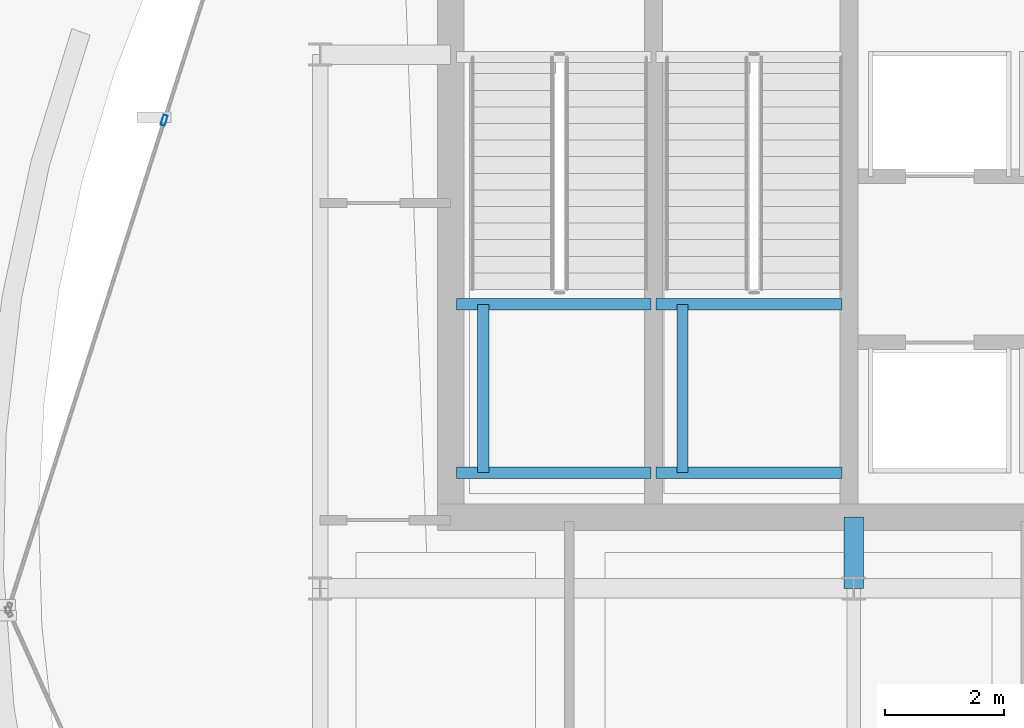
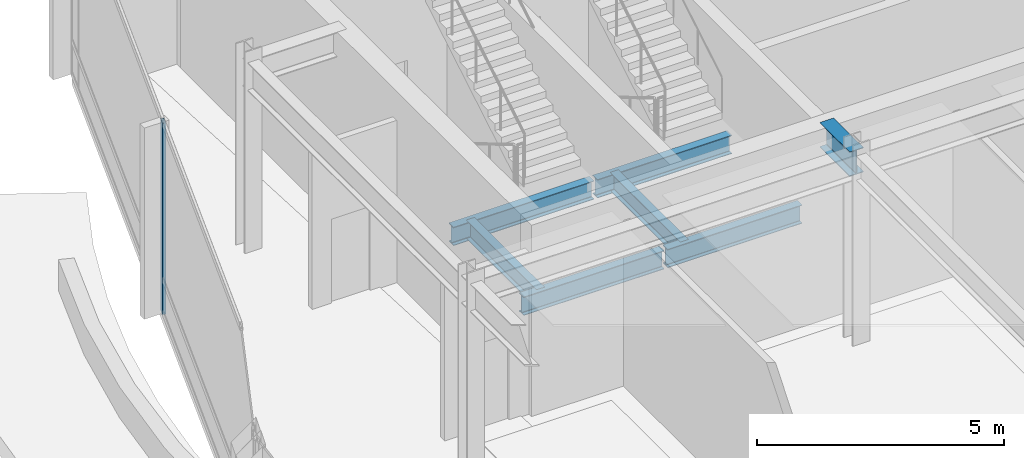
# One storey, part 8 of 23: 7 beams, 1 member, 1 element without a shape of its own.
"""IFC4 building model written with IfcOpenShell, lengths in metres."""

from ifc_helpers import new_model, si_unit, direction, frame, origin, origin_2d, place, context, subcontext, project, spatial, hollow_rectangle, i_section, extrude, material, layer, layer_set, material_profile, profile_set, type_object, element, aggregate, save


model = new_model("IFC4")

# Units and contexts
model_context = context("Model", 3, precision=1e-05, world=origin(), true_north=direction((0.0, 1.0)))
body_context = subcontext(model_context, "Body", "Model", "MODEL_VIEW")
ifc_project = project(units=[si_unit("LENGTHUNIT", "METRE"), si_unit("AREAUNIT", "SQUARE_METRE"), si_unit("VOLUMEUNIT", "CUBIC_METRE"), si_unit("PLANEANGLEUNIT", "RADIAN"), si_unit("MASSUNIT", "GRAM", prefix="KILO")], contexts=[model_context])

# Site, building, storey
site_placement = place(None, origin())
site = spatial("IfcSite", under=ifc_project, at=site_placement, CompositionType="ELEMENT")
building_placement = place(site_placement, origin())
building = spatial("IfcBuilding", under=site, at=building_placement, Name="Solvaryn Broadcast Tower", CompositionType="ELEMENT")
storey_placement = place(building_placement, frame((0.0, 0.0, 235.800048828125)))
storey = spatial("IfcBuildingStorey", under=building, at=storey_placement, Name="L59", CompositionType="ELEMENT", Elevation=235.800048828125)

# Beams
ifc_material_1 = material(Name="Steel ASTM A992 Grade 50", Category="steel")
ifc_material_profile_1 = material_profile(ifc_material_1, i_section(OverallWidth=0.323974609375, OverallDepth=0.611083984375, WebThickness=0.0126953125, FlangeThickness=0.01904296875, FilletRadius=0.014892578125, at=origin_2d()))
ifc_profile_set_1 = profile_set([ifc_material_profile_1], Name="Steel ASTM A992 Grade 50")
beam_type_1 = type_object("IfcBeamType", Name="BM-B1-W24X104", PredefinedType="BEAM", material=ifc_profile_set_1)
beam_1_placement = place(storey_placement, frame((18.0, 27.0, 4.41455078125), z_axis=(0.0, 1.0, 0.0), x_axis=(-1.0, 0.0, 0.0)))
element("IfcBeam", 1, at=beam_1_placement, inside=storey, type_object=beam_type_1, Name="L59 Core Tie Beam CTW4", PredefinedType="BEAM", context=body_context, shape_type="SweptSolid", body=[
    extrude(i_section(OverallWidth=0.323974609375, OverallDepth=0.611083984375, WebThickness=0.0126953125, FlangeThickness=0.01904296875, FilletRadius=0.014892578125, at=origin_2d()), origin(), (0.0, 0.0, 1.0), 1.199951171875),
])
ifc_material_2 = material(Name="Steel ASTM A992 Grade 50", Category="steel")
ifc_material_profile_2 = material_profile(ifc_material_2, i_section(OverallWidth=0.18994140625, OverallDepth=0.45703125, WebThickness=0.009033203125, FlangeThickness=0.014404296875, FilletRadius=0.011962890625, at=origin_2d()))
ifc_profile_set_2 = profile_set([ifc_material_profile_2], Name="Steel ASTM A992 Grade 50")
beam_type_2 = type_object("IfcBeamType", Name="BM-B4-W18X50", PredefinedType="BEAM", material=ifc_profile_set_2)
for number, where, z_axis, x_axis, name in (
    (2, (11.300048828125, 28.949951171875, 2.071533203125), (1.0, 0.0, 0.0), (0.0, 1.0, 0.0), "L59 ST1 Landing Support Beam 1A"),
    (3, (11.300048828125, 31.7900390625, 2.071533203125), (1.0, 0.0, 0.0), (0.0, 1.0, 0.0), "L59 ST1 Landing Support Beam 1B"),
):
    element("IfcBeam", number, at=place(storey_placement, frame(where, z_axis=z_axis, x_axis=x_axis)), inside=storey, type_object=beam_type_2, Name=name, PredefinedType="BEAM", context=body_context, shape_type="SweptSolid", body=[
        extrude(i_section(OverallWidth=0.18994140625, OverallDepth=0.45703125, WebThickness=0.009033203125, FlangeThickness=0.014404296875, FilletRadius=0.011962890625, at=origin_2d()), origin(), (0.0, 0.0, 1.0), 3.280029296875),
    ])
beam_2_placement = place(storey_placement, frame((11.75, 28.949951171875, 2.071533203125), z_axis=(0.0, 1.0, 0.0), x_axis=(-1.0, 0.0, 0.0)))
element("IfcBeam", 4, at=beam_2_placement, inside=storey, type_object=beam_type_2, Name="L59 ST1 Landing Cross Stringer 1C", PredefinedType="BEAM", context=body_context, shape_type="SweptSolid", body=[
    extrude(i_section(OverallWidth=0.18994140625, OverallDepth=0.45703125, WebThickness=0.009033203125, FlangeThickness=0.014404296875, FilletRadius=0.011962890625, at=origin_2d()), origin(), (0.0, 0.0, 1.0), 2.840087890625),
])
for number, where, z_axis, x_axis, name in (
    (5, (14.659912109375, 28.949951171875, 2.071533203125), (1.0, 0.0, 0.0), (0.0, 1.0, 0.0), "L59 ST2 Landing Support Beam 1A"),
    (6, (14.659912109375, 31.7900390625, 2.071533203125), (1.0, 0.0, 0.0), (0.0, 1.0, 0.0), "L59 ST2 Landing Support Beam 1B"),
):
    element("IfcBeam", number, at=place(storey_placement, frame(where, z_axis=z_axis, x_axis=x_axis)), inside=storey, type_object=beam_type_2, Name=name, PredefinedType="BEAM", context=body_context, shape_type="SweptSolid", body=[
        extrude(i_section(OverallWidth=0.18994140625, OverallDepth=0.45703125, WebThickness=0.009033203125, FlangeThickness=0.014404296875, FilletRadius=0.011962890625, at=origin_2d()), origin(), (0.0, 0.0, 1.0), 3.14013671875),
    ])
beam_3_placement = place(storey_placement, frame((15.110107421875, 28.949951171875, 2.071533203125), z_axis=(0.0, 1.0, 0.0), x_axis=(-1.0, 0.0, 0.0)))
element("IfcBeam", 7, at=beam_3_placement, inside=storey, type_object=beam_type_2, Name="L59 ST2 Landing Cross Stringer 1C", PredefinedType="BEAM", context=body_context, shape_type="SweptSolid", body=[
    extrude(i_section(OverallWidth=0.18994140625, OverallDepth=0.45703125, WebThickness=0.009033203125, FlangeThickness=0.014404296875, FilletRadius=0.011962890625, at=origin_2d()), origin(), (0.0, 0.0, 1.0), 2.840087890625),
])

# Curtain wall, member
ifc_material_3 = material(Name="Aluminium and Terracotta Unitised Curtain Wall", Category="masonry")
ifc_layer = layer(ifc_material_3, 0.25)
ifc_layer_set = layer_set([ifc_layer], Name="CW-SYS4-SKYGARDEN")
curtain_wall_type = type_object("IfcCurtainWallType", Name="CW-SYS4-SKYGARDEN", PredefinedType="NOTDEFINED", material=ifc_layer_set)
curtain_wall_placement = place(storey_placement, origin())
curtain_wall = element("IfcCurtainWall", 8, at=curtain_wall_placement, inside=storey, type_object=curtain_wall_type, Name="L59 Curtain Wall DR1", PredefinedType="NOTDEFINED")
ifc_material_4 = material(Name="Anodised Aluminium 6063-T6", Category="aluminium")
ifc_material_profile_3 = material_profile(ifc_material_4, hollow_rectangle(XDim=0.074951171875, YDim=0.179931640625, WallThickness=0.00390625, InnerFilletRadius=0.00390625, OuterFilletRadius=0.008056640625, at=origin_2d()))
ifc_profile_set_3 = profile_set([ifc_material_profile_3], Name="Anodised Aluminium 6063-T6")
member_type = type_object("IfcMemberType", Name="CW-MUL-180", PredefinedType="MULLION", material=ifc_profile_set_3)
member_placement = place(storey_placement, frame((6.368896484375, 34.892578125, 0.0), z_axis=(0.0, 0.0, 1.0), x_axis=(0.952794594701, -0.30361564569, 0.0)))
member = element("IfcMember", 9, at=member_placement, type_object=member_type, Name="CWS4 mullion 2", PredefinedType="MULLION", context=body_context, shape_type="SweptSolid", body=[
    extrude(hollow_rectangle(XDim=0.074951171875, YDim=0.179931640625, WallThickness=0.00390625, InnerFilletRadius=0.00390625, OuterFilletRadius=0.008056640625, at=origin_2d()), origin(), (0.0, 0.0, 1.0), 4.719970703125),
])
aggregate(curtain_wall, [member])

save(model, "model.ifc")
